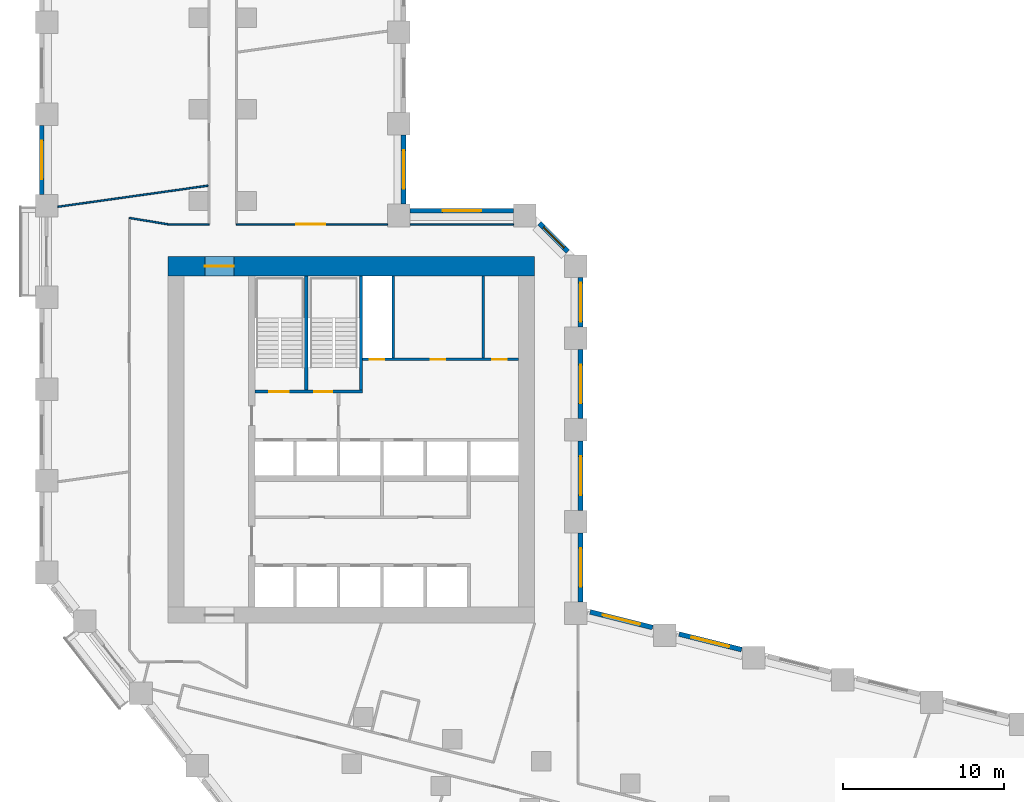
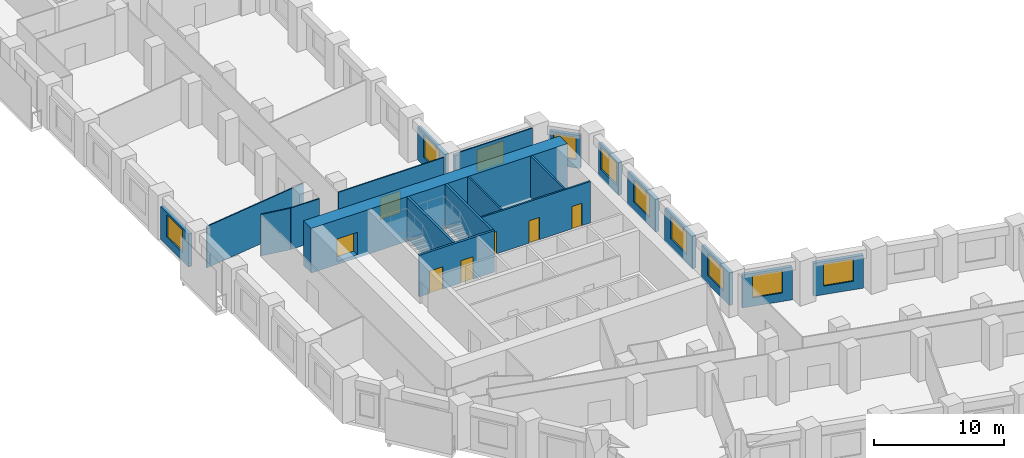
# One storey, part 6 of 12: 22 walls, 10 windows, 7 doors, 17 openings.
"""IFC4 building model written with IfcOpenShell, lengths in metres."""

from ifc_helpers import new_model, si_unit, direction, frame, frame_2d, origin, place, context, subcontext, project, spatial, rectangle, extrude, material, layer, layer_set, type_object, element, fill, save


model = new_model("IFC4")

# Units and contexts
model_context = context("Model", 3, precision=1e-05, world=origin(), true_north=direction((0.0, 1.0)))
body_context = subcontext(model_context, "Body", "Model", "MODEL_VIEW")
ifc_project = project(units=[si_unit("LENGTHUNIT", "METRE"), si_unit("AREAUNIT", "SQUARE_METRE"), si_unit("VOLUMEUNIT", "CUBIC_METRE"), si_unit("PLANEANGLEUNIT", "RADIAN"), si_unit("MASSUNIT", "GRAM", prefix="KILO")], contexts=[model_context])

# Site, building, storey
site_placement = place(None, origin())
site = spatial("IfcSite", under=ifc_project, at=site_placement, CompositionType="ELEMENT")
building_placement = place(site_placement, origin())
building = spatial("IfcBuilding", under=site, at=building_placement, Name="Meshkara Civic Tower", CompositionType="ELEMENT")
storey_placement = place(building_placement, frame((0.0, 0.0, 58.199951171875)))
storey = spatial("IfcBuildingStorey", under=building, at=storey_placement, Name="L12", CompositionType="ELEMENT", Elevation=58.199951171875)

# Wall, openings, doors
ifc_material_1 = material(Name="Blockwork", Category="masonry")
ifc_layer_1 = layer(ifc_material_1, 0.14990234375)
ifc_layer_set_1 = layer_set([ifc_layer_1], Name="Core partition 150")
wall_type_1 = type_object("IfcWallType", Name="Core partition 150", PredefinedType="PARTITIONING", material=ifc_layer_set_1)
wall_1_placement = place(storey_placement, frame((20.10009765625, 30.5, 0.0), z_axis=(0.0, 0.0, 1.0), x_axis=(1.0, 0.0, 0.0)))
wall_1 = element("IfcWall", 1, at=wall_1_placement, inside=storey, type_object=wall_type_1, Name="L12-C010", PredefinedType="PARTITIONING", context=body_context, shape_type="SweptSolid", body=[
    extrude(rectangle(XDim=9.699951171875, YDim=0.14990234375, at=frame_2d((4.85009765625, 0.0))), origin(), (0.0, 0.0, 1.0), 3.900146484375),
])
opening_1_placement = place(wall_1_placement, frame((0.449951171875, 0.0, 0.0)))
opening_1 = element("IfcOpeningElement", 2, at=opening_1_placement, cuts=wall_1, Name="Opening L12-K012", PredefinedType="OPENING", context=body_context, shape_type="SweptSolid", body=[
    extrude(rectangle(XDim=0.89990234375, YDim=2.10009765625, at=frame_2d((0.449951171875, 1.050048828125))), frame((0.0, 0.0849609375, 0.0), z_axis=(0.0, -1.0, 0.0), x_axis=(1.0, 0.0, 0.0)), (0.0, 0.0, 1.0), 0.169921875),
])
opening_2_placement = place(wall_1_placement, frame((4.25, 0.0, 0.0)))
opening_2 = element("IfcOpeningElement", 3, at=opening_2_placement, cuts=wall_1, Name="Opening L12-K013", PredefinedType="OPENING", context=body_context, shape_type="SweptSolid", body=[
    extrude(rectangle(XDim=0.89990234375, YDim=2.10009765625, at=frame_2d((0.449951171875, 1.050048828125))), frame((0.0, 0.0849609375, 0.0), z_axis=(0.0, -1.0, 0.0), x_axis=(1.0, 0.0, 0.0)), (0.0, 0.0, 1.0), 0.169921875),
])
opening_3_placement = place(wall_1_placement, frame((8.050048828125, 0.0, 0.0)))
opening_3 = element("IfcOpeningElement", 4, at=opening_3_placement, cuts=wall_1, Name="Opening L12-K014", PredefinedType="OPENING", context=body_context, shape_type="SweptSolid", body=[
    extrude(rectangle(XDim=0.89990234375, YDim=2.10009765625, at=frame_2d((0.449951171875, 1.050048828125))), frame((0.0, 0.0849609375, 0.0), z_axis=(0.0, -1.0, 0.0), x_axis=(1.0, 0.0, 0.0)), (0.0, 0.0, 1.0), 0.169921875),
])
ifc_material_2 = material(Name="Timber door leaf in steel frame", Category="steel")
door_type_1 = type_object("IfcDoorType", Name="Core room door 900", OperationType="SINGLE_SWING_LEFT", PredefinedType="DOOR", material=ifc_material_2)
door_1_placement = place(opening_2_placement, origin())
door_1 = element("IfcDoor", 5, at=door_1_placement, inside=storey, type_object=door_type_1, Name="L12-K013", OperationType="SINGLE_SWING_RIGHT", OverallHeight=2.10009765625, OverallWidth=0.89990234375, PredefinedType="DOOR", context=body_context, shape_type="SweptSolid", body=[
    extrude(rectangle(XDim=0.89990234375, YDim=2.10009765625, at=frame_2d((0.449951171875, 1.050048828125))), frame((0.0, 0.02490234375, 0.0), z_axis=(0.0, -1.0, 0.0), x_axis=(1.0, 0.0, 0.0)), (0.0, 0.0, 1.0), 0.050048828125),
])
fill(opening_2, door_1)
door_2_placement = place(opening_3_placement, origin())
door_2 = element("IfcDoor", 6, at=door_2_placement, inside=storey, type_object=door_type_1, Name="L12-K014", OperationType="SINGLE_SWING_RIGHT", OverallHeight=2.10009765625, OverallWidth=0.89990234375, PredefinedType="DOOR", context=body_context, shape_type="SweptSolid", body=[
    extrude(rectangle(XDim=0.89990234375, YDim=2.10009765625, at=frame_2d((0.449951171875, 1.050048828125))), frame((0.0, 0.02490234375, 0.0), z_axis=(0.0, -1.0, 0.0), x_axis=(1.0, 0.0, 0.0)), (0.0, 0.0, 1.0), 0.050048828125),
])
fill(opening_3, door_2)
ifc_material_3 = material(Name="Fire-rated door leaf in steel frame", Category="steel")
door_type_2 = type_object("IfcDoorType", Name="Riser door 900", OperationType="SINGLE_SWING_LEFT", PredefinedType="DOOR", material=ifc_material_3)
door_3_placement = place(opening_1_placement, origin())
door_3 = element("IfcDoor", 7, at=door_3_placement, inside=storey, type_object=door_type_2, Name="L12-K012", OperationType="SINGLE_SWING_RIGHT", OverallHeight=2.10009765625, OverallWidth=0.89990234375, PredefinedType="DOOR", context=body_context, shape_type="SweptSolid", body=[
    extrude(rectangle(XDim=0.89990234375, YDim=2.10009765625, at=frame_2d((0.449951171875, 1.050048828125))), frame((0.0, 0.02490234375, 0.0), z_axis=(0.0, -1.0, 0.0), x_axis=(1.0, 0.0, 0.0)), (0.0, 0.0, 1.0), 0.050048828125),
])
fill(opening_1, door_3)

# Walls
for number, where, z_axis, x_axis, name in (
    (8, (22.0, 30.574951171875, 0.0), (0.0, 0.0, 1.0), (0.0, 1.0, 0.0), "L12-C020"),
    (9, (27.60009765625, 30.574951171875, 0.0), (0.0, 0.0, 1.0), (0.0, 1.0, 0.0), "L12-C025"),
):
    element("IfcWall", number, at=place(storey_placement, frame(where, z_axis=z_axis, x_axis=x_axis)), inside=storey, type_object=wall_type_1, Name=name, PredefinedType="PARTITIONING", context=body_context, shape_type="SweptSolid", body=[
        extrude(rectangle(XDim=5.125, YDim=0.14990234375, at=frame_2d((2.5625, 0.0))), origin(), (0.0, 0.0, 1.0), 3.900146484375),
    ])

# Wall, opening, door
ifc_material_4 = material(Name="Concrete C80", Category="concrete")
ifc_layer_2 = layer(ifc_material_4, 1.199951171875)
ifc_layer_set_2 = layer_set([ifc_layer_2], Name="Core ring wall 1200 C80")
wall_type_2 = type_object("IfcWallType", Name="Core ring wall 1200 C80", PredefinedType="SHEAR", material=ifc_layer_set_2)
wall_2_placement = place(storey_placement, frame((8.0, 36.300048828125, -0.300048828125), z_axis=(0.0, 0.0, 1.0), x_axis=(1.0, 0.0, 0.0)))
wall_2 = element("IfcWall", 10, at=wall_2_placement, inside=storey, type_object=wall_type_2, Name="L12-C002", PredefinedType="SHEAR", context=body_context, shape_type="SweptSolid", body=[
    extrude(rectangle(XDim=22.800048828125, YDim=1.199951171875, at=frame_2d((11.39990234375, 0.0))), origin(), (0.0, 0.0, 1.0), 4.2001953125),
])
opening_4_placement = place(wall_2_placement, frame((2.300048828125, 0.0, 0.300048828125)))
opening_4 = element("IfcOpeningElement", 11, at=opening_4_placement, cuts=wall_2, Name="Opening L12-K020", PredefinedType="OPENING", context=body_context, shape_type="SweptSolid", body=[
    extrude(rectangle(XDim=1.800048828125, YDim=2.10009765625, at=frame_2d((0.89990234375, 1.050048828125))), frame((0.0, 0.60986328125, 0.0), z_axis=(0.0, -1.0, 0.0), x_axis=(1.0, 0.0, 0.0)), (0.0, 0.0, 1.0), 1.219970703125),
])
ifc_material_5 = material(Name="Fire-rated door leaf in steel frame", Category="steel")
door_type_3 = type_object("IfcDoorType", Name="Core double door 1800 EI 60", OperationType="DOUBLE_DOOR_SINGLE_SWING", PredefinedType="DOOR", material=ifc_material_5)
door_4_placement = place(opening_4_placement, origin())
door_4 = element("IfcDoor", 12, at=door_4_placement, inside=storey, type_object=door_type_3, Name="L12-K020", OperationType="DOUBLE_DOOR_SINGLE_SWING", OverallHeight=2.10009765625, OverallWidth=1.800048828125, PredefinedType="DOOR", context=body_context, shape_type="SweptSolid", body=[
    extrude(rectangle(XDim=1.800048828125, YDim=2.10009765625, at=frame_2d((0.89990234375, 1.050048828125))), frame((0.0, 0.02490234375, 0.0), z_axis=(0.0, -1.0, 0.0), x_axis=(1.0, 0.0, 0.0)), (0.0, 0.0, 1.0), 0.050048828125),
])
fill(opening_4, door_4)

# Walls
ifc_material_6 = material(Name="Corridor wall 100")
ifc_layer_3 = layer(ifc_material_6, 0.10009765625)
ifc_layer_set_3 = layer_set([ifc_layer_3], Name="Corridor wall 100")
wall_type_3 = type_object("IfcWallType", Name="Corridor wall 100", PredefinedType="PARTITIONING", material=ifc_layer_set_3)
wall_3_placement = place(storey_placement, frame((8.0, 38.89990234375, 0.0), z_axis=(0.0, 0.0, 1.0), x_axis=(-0.986383073668, 0.16446407505, 0.0)))
element("IfcWall", 13, at=wall_3_placement, inside=storey, type_object=wall_type_3, Name="L12-W007", PredefinedType="PARTITIONING", context=body_context, shape_type="SweptSolid", body=[
    extrude(rectangle(XDim=2.43310546875, YDim=0.10009765625, at=frame_2d((1.216552734375, 0.0))), origin(), (0.0, 0.0, 1.0), 3.900146484375),
])
wall_4_placement = place(storey_placement, frame((10.550048828125, 38.89990234375, 0.0), z_axis=(0.0, 0.0, 1.0), x_axis=(-1.0, 0.0, 0.0)))
element("IfcWall", 14, at=wall_4_placement, inside=storey, type_object=wall_type_3, Name="L12-W012", PredefinedType="PARTITIONING", context=body_context, shape_type="SweptSolid", body=[
    extrude(rectangle(XDim=2.550048828125, YDim=0.10009765625, at=frame_2d((1.27490234375, 0.0))), origin(), (0.0, 0.0, 1.0), 3.900146484375),
])

# Wall, opening, door
wall_5_placement = place(storey_placement, frame((21.64990234375, 38.89990234375, 0.0), z_axis=(0.0, 0.0, 1.0), x_axis=(-1.0, 0.0, 0.0)))
wall_5 = element("IfcWall", 15, at=wall_5_placement, inside=storey, type_object=wall_type_3, Name="L12-W019", PredefinedType="PARTITIONING", context=body_context, shape_type="SweptSolid", body=[
    extrude(rectangle(XDim=9.39990234375, YDim=0.10009765625, at=frame_2d((4.699951171875, 0.0))), origin(), (0.0, 0.0, 1.0), 3.900146484375),
])
opening_5_placement = place(wall_5_placement, frame((3.8798828125, 0.0, 0.0)))
opening_5 = element("IfcOpeningElement", 16, at=opening_5_placement, cuts=wall_5, Name="Opening L12-D019", PredefinedType="OPENING", context=body_context, shape_type="SweptSolid", body=[
    extrude(rectangle(XDim=1.800048828125, YDim=2.10009765625, at=frame_2d((0.89990234375, 1.050048828125))), frame((0.0, 0.06005859375, 0.0), z_axis=(0.0, -1.0, 0.0), x_axis=(1.0, 0.0, 0.0)), (0.0, 0.0, 1.0), 0.1201171875),
])
ifc_material_7 = material(Name="Door pair 1800 x 2100")
door_type_4 = type_object("IfcDoorType", Name="Door pair 1800 x 2100", OperationType="SINGLE_SWING_LEFT", PredefinedType="DOOR", material=ifc_material_7)
door_5_placement = place(opening_5_placement, origin())
door_5 = element("IfcDoor", 17, at=door_5_placement, inside=storey, type_object=door_type_4, Name="L12-D019", OperationType="DOUBLE_DOOR_SINGLE_SWING", OverallHeight=2.10009765625, OverallWidth=1.800048828125, PredefinedType="DOOR", context=body_context, shape_type="SweptSolid", body=[
    extrude(rectangle(XDim=1.800048828125, YDim=2.10009765625, at=frame_2d((0.89990234375, 1.050048828125))), frame((0.0, 0.02490234375, 0.0), z_axis=(0.0, -1.0, 0.0), x_axis=(1.0, 0.0, 0.0)), (0.0, 0.0, 1.0), 0.050048828125),
])
fill(opening_5, door_5)

# Wall
wall_6_placement = place(storey_placement, frame((29.493896484375, 38.89990234375, 0.0), z_axis=(0.0, 0.0, 1.0), x_axis=(-1.0, 0.0, 0.0)))
element("IfcWall", 18, at=wall_6_placement, inside=storey, type_object=wall_type_3, Name="L12-W020", PredefinedType="PARTITIONING", context=body_context, shape_type="SweptSolid", body=[
    extrude(rectangle(XDim=6.44384765625, YDim=0.10009765625, at=frame_2d((3.221923828125, 0.0))), origin(), (0.0, 0.0, 1.0), 3.900146484375),
])

# Wall, opening, window
ifc_material_8 = material(Name="Insulated infill panel with bronze anodised aluminium cladding", Category="aluminium")
ifc_layer_4 = layer(ifc_material_8, 0.300048828125)
ifc_layer_set_4 = layer_set([ifc_layer_4], Name="EXTERNAL INFILL WALL 300")
wall_type_4 = type_object("IfcWallType", Name="EXTERNAL INFILL WALL 300", PredefinedType="SOLIDWALL", material=ifc_layer_set_4)
wall_7_placement = place(storey_placement, frame((43.659912109375, 12.4580078125, 0.0), z_axis=(0.0, 0.0, 1.0), x_axis=(-0.970300202301, 0.241903942538, 0.0)))
wall_7 = element("IfcWall", 19, at=wall_7_placement, inside=storey, type_object=wall_type_4, Name="External wall", PredefinedType="SOLIDWALL", context=body_context, shape_type="SweptSolid", body=[
    extrude(rectangle(XDim=4.001708984375, YDim=0.300048828125, at=frame_2d((2.0009765625, 0.0))), origin(), (0.0, 0.0, 1.0), 3.10009765625),
])
opening_6_placement = place(wall_7_placement, frame((0.801025390625, 0.0, 0.800048828125)))
opening_6 = element("IfcOpeningElement", 20, at=opening_6_placement, cuts=wall_7, Name="Opening W7", PredefinedType="OPENING", context=body_context, shape_type="SweptSolid", body=[
    extrude(rectangle(XDim=2.39990234375, YDim=2.10009765625, at=frame_2d((1.199951171875, 1.050048828125))), frame((0.0, 0.159912109375, 0.0), z_axis=(0.0, -1.0, 0.0), x_axis=(1.0, 0.0, 0.0)), (0.0, 0.0, 1.0), 0.320068359375),
])
ifc_material_9 = material(Name="Tinted double glazing", Category="glass")
window_type_1 = type_object("IfcWindowType", Name="WINDOW 2400x2100", PartitioningType="DOUBLE_PANEL_VERTICAL", PredefinedType="WINDOW", material=ifc_material_9)
window_1_placement = place(opening_6_placement, origin())
window_1 = element("IfcWindow", 21, at=window_1_placement, inside=storey, type_object=window_type_1, Name="Window", OverallHeight=2.10009765625, OverallWidth=2.39990234375, PartitioningType="DOUBLE_PANEL_VERTICAL", PredefinedType="WINDOW", context=body_context, shape_type="SweptSolid", body=[
    extrude(rectangle(XDim=2.39990234375, YDim=2.10009765625, at=frame_2d((1.199951171875, 1.050048828125))), frame((0.0, 0.030029296875, 0.0), z_axis=(0.0, -1.0, 0.0), x_axis=(1.0, 0.0, 0.0)), (0.0, 0.0, 1.0), 0.06005859375),
])
fill(opening_6, window_1)

wall_8_placement = place(storey_placement, frame((38.1298828125, 13.8369140625, 0.0), z_axis=(0.0, 0.0, 1.0), x_axis=(-0.970314477803, 0.241846674911, 0.0)))
wall_8 = element("IfcWall", 22, at=wall_8_placement, inside=storey, type_object=wall_type_4, Name="External wall", PredefinedType="SOLIDWALL", context=body_context, shape_type="SweptSolid", body=[
    extrude(rectangle(XDim=4.002685546875, YDim=0.300048828125, at=frame_2d((2.00146484375, 0.0))), origin(), (0.0, 0.0, 1.0), 3.10009765625),
])
opening_7_placement = place(wall_8_placement, frame((0.802001953125, 0.0, 0.800048828125)))
opening_7 = element("IfcOpeningElement", 23, at=opening_7_placement, cuts=wall_8, Name="Opening W7", PredefinedType="OPENING", context=body_context, shape_type="SweptSolid", body=[
    extrude(rectangle(XDim=2.39990234375, YDim=2.10009765625, at=frame_2d((1.199951171875, 1.050048828125))), frame((0.0, 0.159912109375, 0.0), z_axis=(0.0, -1.0, 0.0), x_axis=(1.0, 0.0, 0.0)), (0.0, 0.0, 1.0), 0.320068359375),
])
window_2_placement = place(opening_7_placement, origin())
window_2 = element("IfcWindow", 24, at=window_2_placement, inside=storey, type_object=window_type_1, Name="Window", OverallHeight=2.10009765625, OverallWidth=2.39990234375, PartitioningType="DOUBLE_PANEL_VERTICAL", PredefinedType="WINDOW", context=body_context, shape_type="SweptSolid", body=[
    extrude(rectangle(XDim=2.39990234375, YDim=2.10009765625, at=frame_2d((1.199951171875, 1.050048828125))), frame((0.0, 0.030029296875, 0.0), z_axis=(0.0, -1.0, 0.0), x_axis=(1.0, 0.0, 0.0)), (0.0, 0.0, 1.0), 0.06005859375),
])
fill(opening_7, window_2)

wall_9_placement = place(storey_placement, frame((33.64990234375, 15.4189453125, 0.0), z_axis=(0.0, 0.0, 1.0), x_axis=(0.0, 1.0, 0.0)))
wall_9 = element("IfcWall", 25, at=wall_9_placement, inside=storey, type_object=wall_type_4, Name="External wall", PredefinedType="SOLIDWALL", context=body_context, shape_type="SweptSolid", body=[
    extrude(rectangle(XDim=4.300048828125, YDim=0.300048828125, at=frame_2d((2.14990234375, 0.0))), origin(), (0.0, 0.0, 1.0), 3.10009765625),
])
opening_8_placement = place(wall_9_placement, frame((0.949951171875, 0.0, 0.800048828125)))
opening_8 = element("IfcOpeningElement", 26, at=opening_8_placement, cuts=wall_9, Name="Opening W7", PredefinedType="OPENING", context=body_context, shape_type="SweptSolid", body=[
    extrude(rectangle(XDim=2.39990234375, YDim=2.10009765625, at=frame_2d((1.199951171875, 1.050048828125))), frame((0.0, 0.159912109375, 0.0), z_axis=(0.0, -1.0, 0.0), x_axis=(1.0, 0.0, 0.0)), (0.0, 0.0, 1.0), 0.320068359375),
])
window_3_placement = place(opening_8_placement, origin())
window_3 = element("IfcWindow", 27, at=window_3_placement, inside=storey, type_object=window_type_1, Name="Window", OverallHeight=2.10009765625, OverallWidth=2.39990234375, PartitioningType="DOUBLE_PANEL_VERTICAL", PredefinedType="WINDOW", context=body_context, shape_type="SweptSolid", body=[
    extrude(rectangle(XDim=2.39990234375, YDim=2.10009765625, at=frame_2d((1.199951171875, 1.050048828125))), frame((0.0, 0.030029296875, 0.0), z_axis=(0.0, -1.0, 0.0), x_axis=(1.0, 0.0, 0.0)), (0.0, 0.0, 1.0), 0.06005859375),
])
fill(opening_8, window_3)

wall_10_placement = place(storey_placement, frame((33.64990234375, 21.118896484375, 0.0), z_axis=(0.0, 0.0, 1.0), x_axis=(0.0, 1.0, 0.0)))
wall_10 = element("IfcWall", 28, at=wall_10_placement, inside=storey, type_object=wall_type_4, Name="External wall", PredefinedType="SOLIDWALL", context=body_context, shape_type="SweptSolid", body=[
    extrude(rectangle(XDim=4.300048828125, YDim=0.300048828125, at=frame_2d((2.14990234375, 0.0))), origin(), (0.0, 0.0, 1.0), 3.10009765625),
])
opening_9_placement = place(wall_10_placement, frame((0.949951171875, 0.0, 0.800048828125)))
opening_9 = element("IfcOpeningElement", 29, at=opening_9_placement, cuts=wall_10, Name="Opening W7", PredefinedType="OPENING", context=body_context, shape_type="SweptSolid", body=[
    extrude(rectangle(XDim=2.39990234375, YDim=2.10009765625, at=frame_2d((1.199951171875, 1.050048828125))), frame((0.0, 0.159912109375, 0.0), z_axis=(0.0, -1.0, 0.0), x_axis=(1.0, 0.0, 0.0)), (0.0, 0.0, 1.0), 0.320068359375),
])
window_4_placement = place(opening_9_placement, origin())
window_4 = element("IfcWindow", 30, at=window_4_placement, inside=storey, type_object=window_type_1, Name="Window", OverallHeight=2.10009765625, OverallWidth=2.39990234375, PartitioningType="DOUBLE_PANEL_VERTICAL", PredefinedType="WINDOW", context=body_context, shape_type="SweptSolid", body=[
    extrude(rectangle(XDim=2.39990234375, YDim=2.10009765625, at=frame_2d((1.199951171875, 1.050048828125))), frame((0.0, 0.030029296875, 0.0), z_axis=(0.0, -1.0, 0.0), x_axis=(1.0, 0.0, 0.0)), (0.0, 0.0, 1.0), 0.06005859375),
])
fill(opening_9, window_4)

wall_11_placement = place(storey_placement, frame((33.64990234375, 26.819091796875, 0.0), z_axis=(0.0, 0.0, 1.0), x_axis=(0.0, 1.0, 0.0)))
wall_11 = element("IfcWall", 31, at=wall_11_placement, inside=storey, type_object=wall_type_4, Name="External wall", PredefinedType="SOLIDWALL", context=body_context, shape_type="SweptSolid", body=[
    extrude(rectangle(XDim=4.2998046875, YDim=0.300048828125, at=frame_2d((2.14990234375, 0.0))), origin(), (0.0, 0.0, 1.0), 3.10009765625),
])
opening_10_placement = place(wall_11_placement, frame((0.949951171875, 0.0, 0.800048828125)))
opening_10 = element("IfcOpeningElement", 32, at=opening_10_placement, cuts=wall_11, Name="Opening W7", PredefinedType="OPENING", context=body_context, shape_type="SweptSolid", body=[
    extrude(rectangle(XDim=2.39990234375, YDim=2.10009765625, at=frame_2d((1.199951171875, 1.050048828125))), frame((0.0, 0.159912109375, 0.0), z_axis=(0.0, -1.0, 0.0), x_axis=(1.0, 0.0, 0.0)), (0.0, 0.0, 1.0), 0.320068359375),
])
window_5_placement = place(opening_10_placement, origin())
window_5 = element("IfcWindow", 33, at=window_5_placement, inside=storey, type_object=window_type_1, Name="Window", OverallHeight=2.10009765625, OverallWidth=2.39990234375, PartitioningType="DOUBLE_PANEL_VERTICAL", PredefinedType="WINDOW", context=body_context, shape_type="SweptSolid", body=[
    extrude(rectangle(XDim=2.39990234375, YDim=2.10009765625, at=frame_2d((1.199951171875, 1.050048828125))), frame((0.0, 0.030029296875, 0.0), z_axis=(0.0, -1.0, 0.0), x_axis=(1.0, 0.0, 0.0)), (0.0, 0.0, 1.0), 0.06005859375),
])
fill(opening_10, window_5)

wall_12_placement = place(storey_placement, frame((33.64990234375, 32.51904296875, 0.0), z_axis=(0.0, 0.0, 1.0), x_axis=(0.0, 1.0, 0.0)))
wall_12 = element("IfcWall", 34, at=wall_12_placement, inside=storey, type_object=wall_type_4, Name="External wall", PredefinedType="SOLIDWALL", context=body_context, shape_type="SweptSolid", body=[
    extrude(rectangle(XDim=3.074951171875, YDim=0.300048828125, at=frame_2d((1.53759765625, 0.0))), origin(), (0.0, 0.0, 1.0), 3.10009765625),
])
opening_11_placement = place(wall_12_placement, frame((0.337890625, 0.0, 0.800048828125)))
opening_11 = element("IfcOpeningElement", 35, at=opening_11_placement, cuts=wall_12, Name="Opening W7", PredefinedType="OPENING", context=body_context, shape_type="SweptSolid", body=[
    extrude(rectangle(XDim=2.39990234375, YDim=2.10009765625, at=frame_2d((1.199951171875, 1.050048828125))), frame((0.0, 0.159912109375, 0.0), z_axis=(0.0, -1.0, 0.0), x_axis=(1.0, 0.0, 0.0)), (0.0, 0.0, 1.0), 0.320068359375),
])
window_6_placement = place(opening_11_placement, origin())
window_6 = element("IfcWindow", 36, at=window_6_placement, inside=storey, type_object=window_type_1, Name="Window", OverallHeight=2.10009765625, OverallWidth=2.39990234375, PartitioningType="DOUBLE_PANEL_VERTICAL", PredefinedType="WINDOW", context=body_context, shape_type="SweptSolid", body=[
    extrude(rectangle(XDim=2.39990234375, YDim=2.10009765625, at=frame_2d((1.199951171875, 1.050048828125))), frame((0.0, 0.030029296875, 0.0), z_axis=(0.0, -1.0, 0.0), x_axis=(1.0, 0.0, 0.0)), (0.0, 0.0, 1.0), 0.06005859375),
])
fill(opening_11, window_6)

wall_13_placement = place(storey_placement, frame((32.862060546875, 37.2060546875, 0.0), z_axis=(0.0, 0.0, 1.0), x_axis=(-0.707155935319, 0.707057623637, 0.0)))
wall_13 = element("IfcWall", 37, at=wall_13_placement, inside=storey, type_object=wall_type_4, Name="External wall", PredefinedType="SOLIDWALL", context=body_context, shape_type="SweptSolid", body=[
    extrude(rectangle(XDim=2.4833984375, YDim=0.300048828125, at=frame_2d((1.24169921875, 0.0))), origin(), (0.0, 0.0, 1.0), 3.10009765625),
])
opening_12_placement = place(wall_13_placement, frame((0.342041015625, 0.0, 0.800048828125)))
opening_12 = element("IfcOpeningElement", 38, at=opening_12_placement, cuts=wall_13, Name="Opening W9", PredefinedType="OPENING", context=body_context, shape_type="SweptSolid", body=[
    extrude(rectangle(XDim=1.800048828125, YDim=2.10009765625, at=frame_2d((0.89990234375, 1.050048828125))), frame((0.0, 0.159912109375, 0.0), z_axis=(0.0, -1.0, 0.0), x_axis=(1.0, 0.0, 0.0)), (0.0, 0.0, 1.0), 0.320068359375),
])
ifc_material_10 = material(Name="Tinted double glazing", Category="glass")
window_type_2 = type_object("IfcWindowType", Name="WINDOW 1800x2100", PartitioningType="DOUBLE_PANEL_VERTICAL", PredefinedType="WINDOW", material=ifc_material_10)
window_7_placement = place(opening_12_placement, origin())
window_7 = element("IfcWindow", 39, at=window_7_placement, inside=storey, type_object=window_type_2, Name="Window", OverallHeight=2.10009765625, OverallWidth=1.800048828125, PartitioningType="DOUBLE_PANEL_VERTICAL", PredefinedType="WINDOW", context=body_context, shape_type="SweptSolid", body=[
    extrude(rectangle(XDim=1.800048828125, YDim=2.10009765625, at=frame_2d((0.89990234375, 1.050048828125))), frame((0.0, 0.030029296875, 0.0), z_axis=(0.0, -1.0, 0.0), x_axis=(1.0, 0.0, 0.0)), (0.0, 0.0, 1.0), 0.06005859375),
])
fill(opening_12, window_7)

wall_14_placement = place(storey_placement, frame((29.493896484375, 39.75, 0.0), z_axis=(0.0, 0.0, 1.0), x_axis=(-1.0, 0.0, 0.0)))
wall_14 = element("IfcWall", 40, at=wall_14_placement, inside=storey, type_object=wall_type_4, Name="External wall", PredefinedType="SOLIDWALL", context=body_context, shape_type="SweptSolid", body=[
    extrude(rectangle(XDim=6.44384765625, YDim=0.300048828125, at=frame_2d((3.221923828125, 0.0))), origin(), (0.0, 0.0, 1.0), 3.10009765625),
])
opening_13_placement = place(wall_14_placement, frame((2.02197265625, 0.0, 0.800048828125)))
opening_13 = element("IfcOpeningElement", 41, at=opening_13_placement, cuts=wall_14, Name="Opening W7", PredefinedType="OPENING", context=body_context, shape_type="SweptSolid", body=[
    extrude(rectangle(XDim=2.39990234375, YDim=2.10009765625, at=frame_2d((1.199951171875, 1.050048828125))), frame((0.0, 0.159912109375, 0.0), z_axis=(0.0, -1.0, 0.0), x_axis=(1.0, 0.0, 0.0)), (0.0, 0.0, 1.0), 0.320068359375),
])
window_8_placement = place(opening_13_placement, origin())
window_8 = element("IfcWindow", 42, at=window_8_placement, inside=storey, type_object=window_type_1, Name="Window", OverallHeight=2.10009765625, OverallWidth=2.39990234375, PartitioningType="DOUBLE_PANEL_VERTICAL", PredefinedType="WINDOW", context=body_context, shape_type="SweptSolid", body=[
    extrude(rectangle(XDim=2.39990234375, YDim=2.10009765625, at=frame_2d((1.199951171875, 1.050048828125))), frame((0.0, 0.030029296875, 0.0), z_axis=(0.0, -1.0, 0.0), x_axis=(1.0, 0.0, 0.0)), (0.0, 0.0, 1.0), 0.06005859375),
])
fill(opening_13, window_8)

wall_15_placement = place(storey_placement, frame((22.64990234375, 40.14990234375, 0.0), z_axis=(0.0, 0.0, 1.0), x_axis=(0.0, 1.0, 0.0)))
wall_15 = element("IfcWall", 43, at=wall_15_placement, inside=storey, type_object=wall_type_4, Name="External wall", PredefinedType="SOLIDWALL", context=body_context, shape_type="SweptSolid", body=[
    extrude(rectangle(XDim=4.300048828125, YDim=0.300048828125, at=frame_2d((2.14990234375, 0.0))), origin(), (0.0, 0.0, 1.0), 3.10009765625),
])
opening_14_placement = place(wall_15_placement, frame((0.949951171875, 0.0, 0.800048828125)))
opening_14 = element("IfcOpeningElement", 44, at=opening_14_placement, cuts=wall_15, Name="Opening W7", PredefinedType="OPENING", context=body_context, shape_type="SweptSolid", body=[
    extrude(rectangle(XDim=2.39990234375, YDim=2.10009765625, at=frame_2d((1.199951171875, 1.050048828125))), frame((0.0, 0.159912109375, 0.0), z_axis=(0.0, -1.0, 0.0), x_axis=(1.0, 0.0, 0.0)), (0.0, 0.0, 1.0), 0.320068359375),
])
window_9_placement = place(opening_14_placement, origin())
window_9 = element("IfcWindow", 45, at=window_9_placement, inside=storey, type_object=window_type_1, Name="Window", OverallHeight=2.10009765625, OverallWidth=2.39990234375, PartitioningType="DOUBLE_PANEL_VERTICAL", PredefinedType="WINDOW", context=body_context, shape_type="SweptSolid", body=[
    extrude(rectangle(XDim=2.39990234375, YDim=2.10009765625, at=frame_2d((1.199951171875, 1.050048828125))), frame((0.0, 0.030029296875, 0.0), z_axis=(0.0, -1.0, 0.0), x_axis=(1.0, 0.0, 0.0)), (0.0, 0.0, 1.0), 0.06005859375),
])
fill(opening_14, window_9)

wall_16_placement = place(storey_placement, frame((0.14990234375, 45.054931640625, 0.0), z_axis=(0.0, 0.0, 1.0), x_axis=(0.0, -1.0, 0.0)))
wall_16 = element("IfcWall", 46, at=wall_16_placement, inside=storey, type_object=wall_type_4, Name="External wall", PredefinedType="SOLIDWALL", context=body_context, shape_type="SweptSolid", body=[
    extrude(rectangle(XDim=4.300048828125, YDim=0.300048828125, at=frame_2d((2.14990234375, 0.0))), origin(), (0.0, 0.0, 1.0), 3.10009765625),
])
opening_15_placement = place(wall_16_placement, frame((0.949951171875, 0.0, 0.800048828125)))
opening_15 = element("IfcOpeningElement", 47, at=opening_15_placement, cuts=wall_16, Name="Opening W7", PredefinedType="OPENING", context=body_context, shape_type="SweptSolid", body=[
    extrude(rectangle(XDim=2.39990234375, YDim=2.10009765625, at=frame_2d((1.199951171875, 1.050048828125))), frame((0.0, 0.159912109375, 0.0), z_axis=(0.0, -1.0, 0.0), x_axis=(1.0, 0.0, 0.0)), (0.0, 0.0, 1.0), 0.320068359375),
])
window_10_placement = place(opening_15_placement, origin())
window_10 = element("IfcWindow", 48, at=window_10_placement, inside=storey, type_object=window_type_1, Name="Window", OverallHeight=2.10009765625, OverallWidth=2.39990234375, PartitioningType="DOUBLE_PANEL_VERTICAL", PredefinedType="WINDOW", context=body_context, shape_type="SweptSolid", body=[
    extrude(rectangle(XDim=2.39990234375, YDim=2.10009765625, at=frame_2d((1.199951171875, 1.050048828125))), frame((0.0, 0.030029296875, 0.0), z_axis=(0.0, -1.0, 0.0), x_axis=(1.0, 0.0, 0.0)), (0.0, 0.0, 1.0), 0.06005859375),
])
fill(opening_15, window_10)

# Wall
ifc_material_11 = material(Name="Partition 100")
ifc_layer_5 = layer(ifc_material_11, 0.10009765625)
ifc_layer_set_5 = layer_set([ifc_layer_5], Name="Partition 100")
wall_type_5 = type_object("IfcWallType", Name="Partition 100", PredefinedType="PARTITIONING", material=ifc_layer_set_5)
wall_17_placement = place(storey_placement, frame((10.492919921875, 41.304931640625, 0.0), z_axis=(0.0, 0.0, 1.0), x_axis=(-0.990255073415, -0.139265536207, 0.0)))
element("IfcWall", 49, at=wall_17_placement, inside=storey, type_object=wall_type_5, Name="L12-W037", PredefinedType="PARTITIONING", context=body_context, shape_type="SweptSolid", body=[
    extrude(rectangle(XDim=9.43505859375, YDim=0.10009765625, at=frame_2d((4.717529296875, 0.0))), origin(), (0.0, 0.0, 1.0), 3.900146484375),
])

# Wall, openings, doors
ifc_material_12 = material(Name="Concrete C40/50", Category="concrete")
ifc_layer_6 = layer(ifc_material_12, 0.199951171875)
ifc_layer_set_6 = layer_set([ifc_layer_6], Name="Stair enclosure wall 200 C40/50")
wall_type_6 = type_object("IfcWallType", Name="Stair enclosure wall 200 C40/50", PredefinedType="SOLIDWALL", material=ifc_layer_set_6)
wall_18_placement = place(storey_placement, frame((13.39990234375, 28.5, 0.0), z_axis=(0.0, 0.0, 1.0), x_axis=(1.0, 0.0, 0.0)))
wall_18 = element("IfcWall", 50, at=wall_18_placement, inside=storey, type_object=wall_type_6, Name="L12-C009", PredefinedType="SOLIDWALL", context=body_context, shape_type="SweptSolid", body=[
    extrude(rectangle(XDim=6.7001953125, YDim=0.199951171875, at=frame_2d((3.35009765625, 0.0))), origin(), (0.0, 0.0, 1.0), 3.900146484375),
])
opening_16_placement = place(wall_18_placement, frame((0.89990234375, 0.0, 0.0)))
opening_16 = element("IfcOpeningElement", 51, at=opening_16_placement, cuts=wall_18, Name="Opening L12-K015", PredefinedType="OPENING", context=body_context, shape_type="SweptSolid", body=[
    extrude(rectangle(XDim=1.199951171875, YDim=2.10009765625, at=frame_2d((0.60009765625, 1.050048828125))), frame((0.0, 0.10986328125, 0.0), z_axis=(0.0, -1.0, 0.0), x_axis=(1.0, 0.0, 0.0)), (0.0, 0.0, 1.0), 0.219970703125),
])
opening_17_placement = place(wall_18_placement, frame((3.699951171875, 0.0, 0.0)))
opening_17 = element("IfcOpeningElement", 52, at=opening_17_placement, cuts=wall_18, Name="Opening L12-K016", PredefinedType="OPENING", context=body_context, shape_type="SweptSolid", body=[
    extrude(rectangle(XDim=1.10009765625, YDim=2.10009765625, at=frame_2d((0.550048828125, 1.050048828125))), frame((0.0, 0.10986328125, 0.0), z_axis=(0.0, -1.0, 0.0), x_axis=(1.0, 0.0, 0.0)), (0.0, 0.0, 1.0), 0.219970703125),
])
ifc_material_13 = material(Name="Fire-rated door leaf in steel frame", Category="steel")
door_type_5 = type_object("IfcDoorType", Name="Stair door 1100 EI 120", OperationType="SINGLE_SWING_LEFT", PredefinedType="DOOR", material=ifc_material_13)
door_6_placement = place(opening_17_placement, origin())
door_6 = element("IfcDoor", 53, at=door_6_placement, inside=storey, type_object=door_type_5, Name="L12-K016", OperationType="SINGLE_SWING_LEFT", OverallHeight=2.10009765625, OverallWidth=1.10009765625, PredefinedType="DOOR", context=body_context, shape_type="SweptSolid", body=[
    extrude(rectangle(XDim=1.10009765625, YDim=2.10009765625, at=frame_2d((0.550048828125, 1.050048828125))), frame((0.0, 0.02490234375, 0.0), z_axis=(0.0, -1.0, 0.0), x_axis=(1.0, 0.0, 0.0)), (0.0, 0.0, 1.0), 0.050048828125),
])
fill(opening_17, door_6)
ifc_material_14 = material(Name="Fire-rated door leaf in steel frame", Category="steel")
door_type_6 = type_object("IfcDoorType", Name="Stair door 1200 EI 120", OperationType="SINGLE_SWING_LEFT", PredefinedType="DOOR", material=ifc_material_14)
door_7_placement = place(opening_16_placement, origin())
door_7 = element("IfcDoor", 54, at=door_7_placement, inside=storey, type_object=door_type_6, Name="L12-K015", OperationType="SINGLE_SWING_RIGHT", OverallHeight=2.10009765625, OverallWidth=1.199951171875, PredefinedType="DOOR", context=body_context, shape_type="SweptSolid", body=[
    extrude(rectangle(XDim=1.199951171875, YDim=2.10009765625, at=frame_2d((0.60009765625, 1.050048828125))), frame((0.0, 0.02490234375, 0.0), z_axis=(0.0, -1.0, 0.0), x_axis=(1.0, 0.0, 0.0)), (0.0, 0.0, 1.0), 0.050048828125),
])
fill(opening_16, door_7)

# Walls
for number, where, z_axis, x_axis, name in (
    (55, (16.60009765625, 28.60009765625, 0.0), (0.0, 0.0, 1.0), (0.0, 1.0, 0.0), "L12-C014"),
    (56, (20.0, 28.60009765625, 0.0), (0.0, 0.0, 1.0), (0.0, 1.0, 0.0), "L12-C017"),
):
    element("IfcWall", number, at=place(storey_placement, frame(where, z_axis=z_axis, x_axis=x_axis)), inside=storey, type_object=wall_type_6, Name=name, PredefinedType="SOLIDWALL", context=body_context, shape_type="SweptSolid", body=[
        extrude(rectangle(XDim=7.099853515625, YDim=0.199951171875, at=frame_2d((3.5498046875, 0.0))), origin(), (0.0, 0.0, 1.0), 3.900146484375),
    ])

save(model, "model.ifc")
